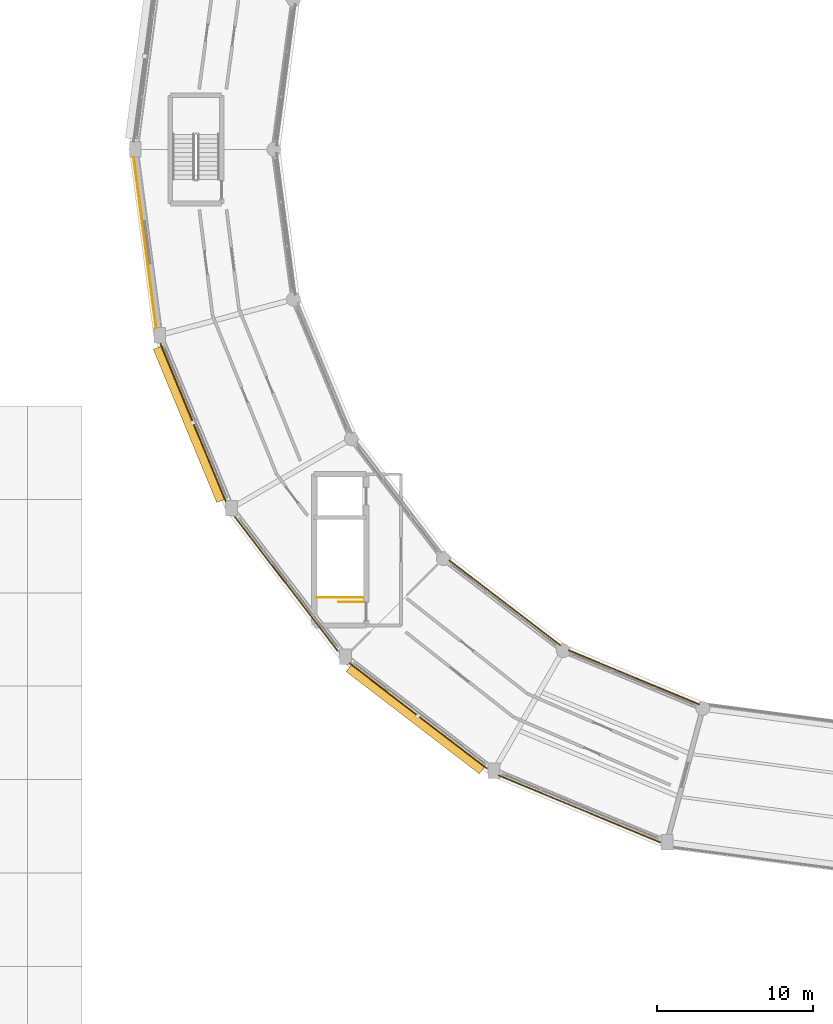
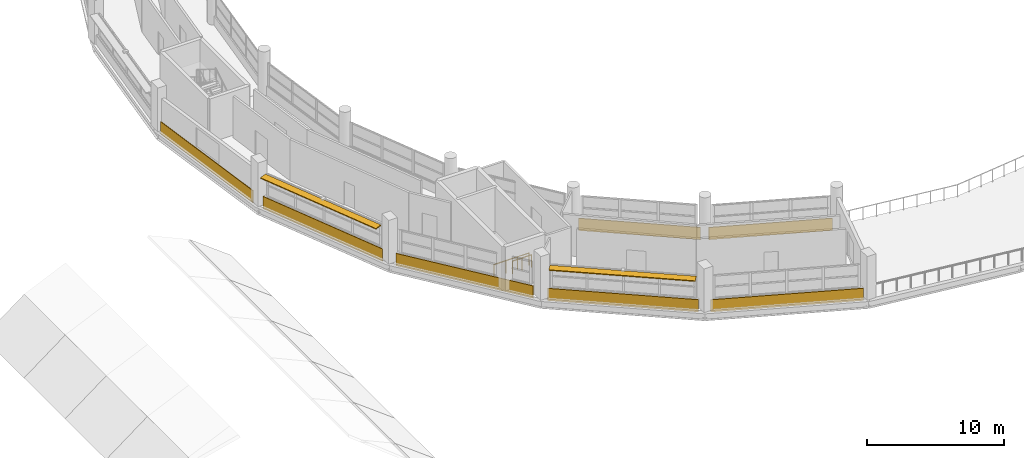
# One storey, part 49 of 53: 7 coverings, 2 railings, 2 shading devices.
"""IFC4 building model written with IfcOpenShell, lengths in metres."""

from ifc_helpers import new_model, si_unit, direction, frame, frame_2d, origin, origin_2d, place, context, subcontext, project, spatial, rectangle, circle, extrude, material, layer, layer_set, type_object, element, save


model = new_model("IFC4")

# Units and contexts
model_context = context("Model", 3, precision=1e-05, world=origin(), true_north=direction((0.0, 1.0)))
body_context = subcontext(model_context, "Body", "Model", "MODEL_VIEW")
ifc_project = project(units=[si_unit("LENGTHUNIT", "METRE"), si_unit("AREAUNIT", "SQUARE_METRE"), si_unit("VOLUMEUNIT", "CUBIC_METRE"), si_unit("PLANEANGLEUNIT", "RADIAN"), si_unit("MASSUNIT", "GRAM", prefix="KILO")], contexts=[model_context])

# Site, building, storey
site_placement = place(None, origin())
site = spatial("IfcSite", under=ifc_project, at=site_placement, CompositionType="ELEMENT")
building_placement = place(site_placement, origin())
building = spatial("IfcBuilding", under=site, at=building_placement, Name="Vespera Passage Community Centre", CompositionType="ELEMENT")
storey_placement = place(building_placement, frame((0.0, 0.0, 20.39990234375)))
storey = spatial("IfcBuildingStorey", under=building, at=storey_placement, Name="L05", CompositionType="ELEMENT", Elevation=20.39990234375)

# Coverings
ifc_material_1 = material(Name="Precast concrete f'c 40 MPa", Category="concrete")
ifc_layer = layer(ifc_material_1, 0.06005859375)
ifc_layer_set = layer_set([ifc_layer], Name="Precast concrete f'c 40 MPa")
covering_type = type_object("IfcCoveringType", Name="COV-CLAD-60E", PredefinedType="CLADDING", material=ifc_layer_set)
covering_1_placement = place(storey_placement, frame((33.23974609375, 54.021484375, -0.27978515625), z_axis=(0.0, 0.0, 1.0), x_axis=(-0.130513242145, 0.991446566197, 0.0)))
element("IfcCovering", 1, at=covering_1_placement, inside=storey, type_object=covering_type, Name="V4 L05 Outer White Sill Band O12", PredefinedType="CLADDING", context=body_context, shape_type="SweptSolid", body=[
    extrude(rectangle(XDim=11.075927734375, YDim=0.06005859375, at=frame_2d((5.5380859375, 0.0))), origin(), (0.0, 0.0, 1.0), 1.099853515625),
])
covering_2_placement = place(storey_placement, frame((37.7216796875, 42.86181640625, -0.27978515625), z_axis=(0.0, 0.0, 1.0), x_axis=(-0.382695413149, 0.923874569817, 0.0)))
element("IfcCovering", 2, at=covering_2_placement, inside=storey, type_object=covering_type, Name="V4 L05 Outer White Spandrel Band O13", PredefinedType="CLADDING", context=body_context, shape_type="SweptSolid", body=[
    extrude(rectangle(XDim=11.002197265625, YDim=0.06005859375, at=frame_2d((5.5009765625, 0.0))), origin(), (0.0, 0.0, 1.0), 1.099853515625),
])
covering_3_placement = place(storey_placement, frame((44.90771484375, 33.267822265625, -0.27978515625), z_axis=(0.0, 0.0, 1.0), x_axis=(-0.608767750285, 0.793348489765, 0.0)))
element("IfcCovering", 3, at=covering_3_placement, inside=storey, type_object=covering_type, Name="V4 L05 Outer White Spandrel Band O14", PredefinedType="CLADDING", context=body_context, shape_type="SweptSolid", body=[
    extrude(rectangle(XDim=10.8525390625, YDim=0.06005859375, at=frame_2d((5.42626953125, 0.0))), origin(), (0.0, 0.0, 1.0), 1.099853515625),
])
covering_4_placement = place(storey_placement, frame((54.4912109375, 25.7138671875, -0.27978515625), z_axis=(0.0, 0.0, 1.0), x_axis=(-0.793342066679, 0.608776120785, 0.0)))
element("IfcCovering", 4, at=covering_4_placement, inside=storey, type_object=covering_type, Name="V4 L05 Outer White Spandrel Band O15", PredefinedType="CLADDING", context=body_context, shape_type="SweptSolid", body=[
    extrude(rectangle(XDim=11.13916015625, YDim=0.06005859375, at=frame_2d((5.569580078125, 0.0))), origin(), (0.0, 0.0, 1.0), 1.099853515625),
])
covering_5_placement = place(storey_placement, frame((52.0703125, 39.103515625, -0.27978515625), z_axis=(0.0, 0.0, 1.0), x_axis=(0.793350132061, -0.608765610033, 0.0)))
element("IfcCovering", 5, at=covering_5_placement, inside=storey, type_object=covering_type, Name="V4 L05 Inner Court White Spandrel Band I15", PredefinedType="CLADDING", context=body_context, shape_type="SweptSolid", body=[
    extrude(rectangle(XDim=9.004638671875, YDim=0.06005859375, at=frame_2d((4.50244140625, 0.0))), origin(), (0.0, 0.0, 1.0), 1.099853515625),
])
covering_6_placement = place(storey_placement, frame((65.6513671875, 20.95947265625, -0.27978515625), z_axis=(0.0, 0.0, 1.0), x_axis=(-0.923883530636, 0.382673779896, 0.0)))
element("IfcCovering", 6, at=covering_6_placement, inside=storey, type_object=covering_type, Name="V4 L05 Outer White Spandrel Band O16", PredefinedType="CLADDING", context=body_context, shape_type="SweptSolid", body=[
    extrude(rectangle(XDim=11.2724609375, YDim=0.06005859375, at=frame_2d((5.63623046875, 0.0))), origin(), (0.0, 0.0, 1.0), 1.099853515625),
])
covering_7_placement = place(storey_placement, frame((59.736083984375, 33.3125, -0.27978515625), z_axis=(0.0, 0.0, 1.0), x_axis=(0.92387477551, -0.38269491658, 0.0)))
element("IfcCovering", 7, at=covering_7_placement, inside=storey, type_object=covering_type, Name="V4 L05 Inner Court White Spandrel Band I16", PredefinedType="CLADDING", context=body_context, shape_type="SweptSolid", body=[
    extrude(rectangle(XDim=9.11181640625, YDim=0.06005859375, at=frame_2d((4.555908203125, 0.0))), origin(), (0.0, 0.0, 1.0), 1.099853515625),
])

# Railings
ifc_material_2 = material(Name="Steel ASTM A500 Grade C", Category="steel")
railing_type = type_object("IfcRailingType", Name="RL-STAIR-1100I", PredefinedType="GUARDRAIL", material=ifc_material_2)
railing_1_placement = place(storey_placement, frame((46.56103515625, 36.419921875, 0.0)))
element("IfcRailing", 8, at=railing_1_placement, inside=storey, type_object=railing_type, Name="L05 ST05 top well guard 1", PredefinedType="GUARDRAIL", context=body_context, shape_type="SweptSolid", body=[
    extrude(circle(Radius=0.02392578125, at=origin_2d()), frame((0.0, 0.0, 1.09619140625), z_axis=(-1.0, 0.0, 0.0), x_axis=(0.0, -1.0, 0.0)), (0.0, 0.0, 1.0), 1.60009765625),
    extrude(circle(Radius=0.02099609375, at=origin_2d()), origin(), (0.0, 0.0, 1.0), 1.072021484375),
    extrude(circle(Radius=0.02099609375, at=origin_2d()), frame((-0.800048828125, 0.0, 0.0)), (0.0, 0.0, 1.0), 1.072021484375),
    extrude(circle(Radius=0.02099609375, at=origin_2d()), frame((-1.60009765625, 0.0, 0.0)), (0.0, 0.0, 1.0), 1.072021484375),
])
railing_2_placement = place(storey_placement, frame((46.541015625, 36.7099609375, 0.0)))
element("IfcRailing", 9, at=railing_2_placement, inside=storey, type_object=railing_type, Name="Core C3 L05 Stair Well Guard", PredefinedType="GUARDRAIL", context=body_context, shape_type="SweptSolid", body=[
    extrude(circle(Radius=0.02392578125, at=origin_2d()), frame((0.0, 0.0, 1.09619140625), z_axis=(-1.0, 0.0, 0.0), x_axis=(0.0, -1.0, 0.0)), (0.0, 0.0, 1.0), 2.9599609375),
    extrude(circle(Radius=0.02099609375, at=origin_2d()), origin(), (0.0, 0.0, 1.0), 1.072021484375),
    extrude(circle(Radius=0.02099609375, at=origin_2d()), frame((-0.986572265625, 0.0, 0.0)), (0.0, 0.0, 1.0), 1.072021484375),
    extrude(circle(Radius=0.02099609375, at=origin_2d()), frame((-1.973388671875, 0.0, 0.0)), (0.0, 0.0, 1.0), 1.072021484375),
    extrude(circle(Radius=0.02099609375, at=origin_2d()), frame((-2.9599609375, 0.0, 0.0)), (0.0, 0.0, 1.0), 1.072021484375),
])

# Shading devices
ifc_material_3 = material(Name="Anodized aluminium 6063-T6", Category="aluminium")
shading_device_type = type_object("IfcShadingDeviceType", Name="SHD-EYEBROW", PredefinedType="JALOUSIE", material=ifc_material_3)
shading_device_1_placement = place(storey_placement, frame((35.366943359375, 47.8408203125, 2.785888671875), z_axis=(0.0, 0.0, 1.0), x_axis=(-0.382683432365, 0.923879532511, 0.0)))
element("IfcShadingDevice", 10, at=shading_device_1_placement, inside=storey, type_object=shading_device_type, Name="V4 L05 Outer Solar Eyebrow 13", PredefinedType="JALOUSIE", context=body_context, shape_type="SweptSolid", body=[
    extrude(rectangle(XDim=10.652099609375, YDim=0.60009765625, at=origin_2d()), origin(), (0.0, 0.0, 1.0), 0.080078125),
])
shading_device_2_placement = place(storey_placement, frame((49.908203125, 28.89013671875, 2.785888671875), z_axis=(0.0, 0.0, 1.0), x_axis=(-0.793342715279, 0.608775275544, 0.0)))
element("IfcShadingDevice", 11, at=shading_device_2_placement, inside=storey, type_object=shading_device_type, Name="V4 L05 Outer Solar Eyebrow 15", PredefinedType="JALOUSIE", context=body_context, shape_type="SweptSolid", body=[
    extrude(rectangle(XDim=10.789306640625, YDim=0.60009765625, at=origin_2d()), origin(), (0.0, 0.0, 1.0), 0.080078125),
])

save(model, "model.ifc")
